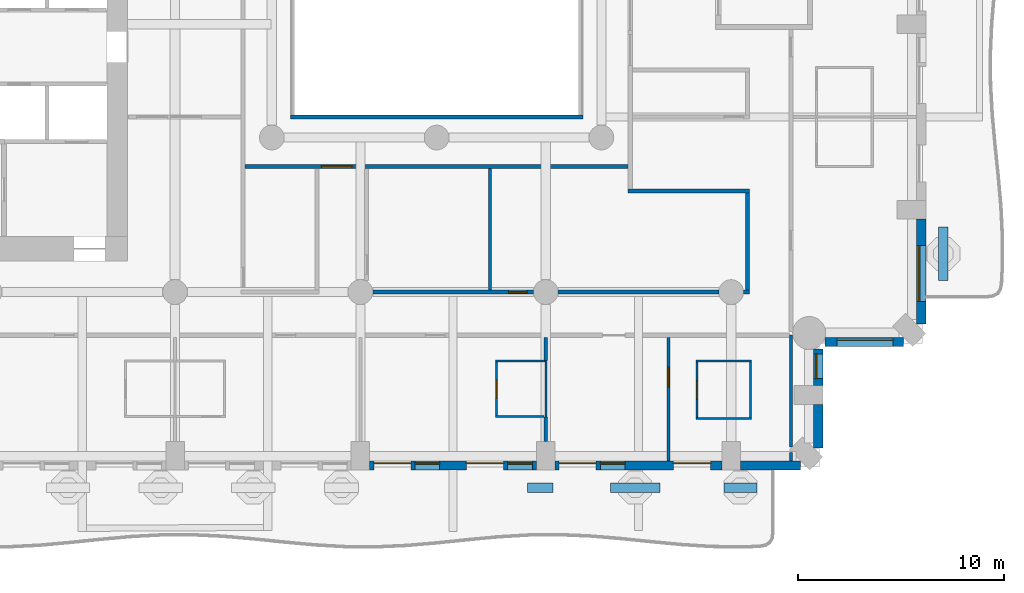
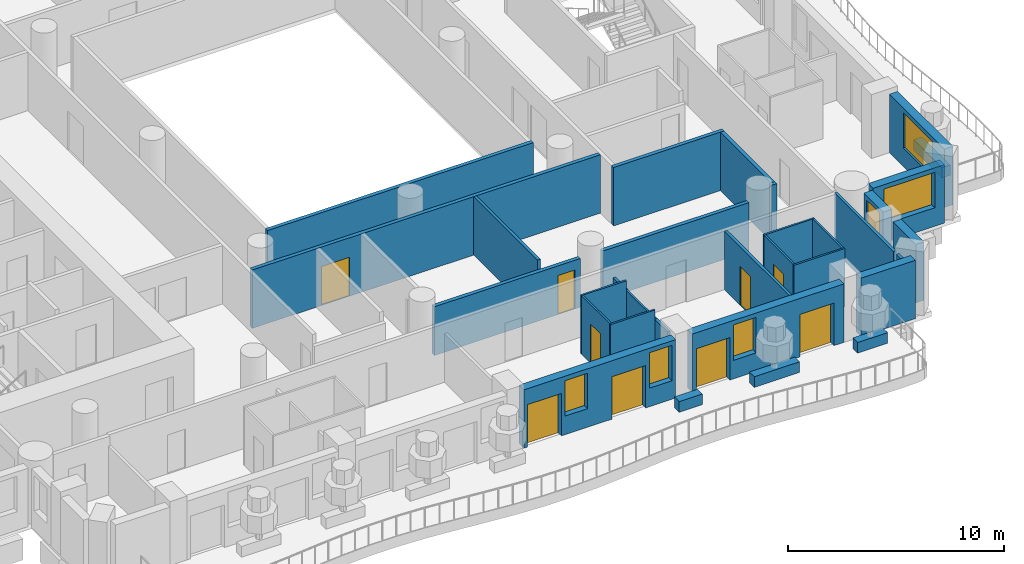
# One storey, part 5 of 20: 32 walls, 9 doors, 6 windows, 15 openings.
"""IFC4 building model written with IfcOpenShell, lengths in metres."""

from ifc_helpers import new_model, si_unit, direction, frame, frame_2d, origin, place, context, subcontext, project, spatial, rectangle, extrude, material, layer, layer_set, type_object, element, fill, save


model = new_model("IFC4")

# Units and contexts
model_context = context("Model", 3, precision=1e-05, world=origin(), true_north=direction((0.0, 1.0)))
body_context = subcontext(model_context, "Body", "Model", "MODEL_VIEW")
ifc_project = project(units=[si_unit("LENGTHUNIT", "METRE"), si_unit("AREAUNIT", "SQUARE_METRE"), si_unit("VOLUMEUNIT", "CUBIC_METRE"), si_unit("PLANEANGLEUNIT", "RADIAN"), si_unit("MASSUNIT", "GRAM", prefix="KILO")], contexts=[model_context])

# Site, building, storey
site_placement = place(None, origin())
site = spatial("IfcSite", under=ifc_project, at=site_placement, CompositionType="ELEMENT")
building_placement = place(site_placement, origin())
building = spatial("IfcBuilding", under=site, at=building_placement, Name="Cypress Arch Tower", CompositionType="ELEMENT")
storey_placement = place(building_placement, frame((0.0, 0.0, 73.5)))
storey = spatial("IfcBuildingStorey", under=building, at=storey_placement, Name="L12", CompositionType="ELEMENT", Elevation=73.5)

# Walls
ifc_material_1 = material(Name="Concrete C40/50, waterproofed", Category="concrete")
ifc_layer_1 = layer(ifc_material_1, 0.449951171875)
ifc_layer_set_1 = layer_set([ifc_layer_1], Name="Balcony planter wall PW450")
wall_type_1 = type_object("IfcWallType", Name="Balcony planter wall PW450", PredefinedType="SOLIDWALL", material=ifc_layer_set_1)
wall_1_placement = place(storey_placement, frame((5.419921875, -27.0, 0.0), z_axis=(0.0, 0.0, 1.0), x_axis=(1.0, 0.0, 0.0)))
element("IfcWall", 1, at=wall_1_placement, inside=storey, type_object=wall_type_1, Name="Balcony planter wall L12-A03.5", PredefinedType="SOLIDWALL", context=body_context, shape_type="SweptSolid", body=[
    extrude(rectangle(XDim=1.22998046875, YDim=0.449951171875, at=frame_2d((0.614990234375, 0.0))), origin(), (0.0, 0.0, 1.0), 0.60009765625),
])
wall_2_placement = place(storey_placement, frame((9.429931640625, -27.0, 0.0), z_axis=(0.0, 0.0, 1.0), x_axis=(1.0, 0.0, 0.0)))
element("IfcWall", 2, at=wall_2_placement, inside=storey, type_object=wall_type_1, Name="Balcony planter wall L12-A03.6", PredefinedType="SOLIDWALL", context=body_context, shape_type="SweptSolid", body=[
    extrude(rectangle(XDim=2.420166015625, YDim=0.449951171875, at=frame_2d((1.2099609375, 0.0))), origin(), (0.0, 0.0, 1.0), 0.60009765625),
])
wall_3_placement = place(storey_placement, frame((14.949951171875, -27.0, 0.0), z_axis=(0.0, 0.0, 1.0), x_axis=(1.0, 0.0, 0.0)))
element("IfcWall", 3, at=wall_3_placement, inside=storey, type_object=wall_type_1, Name="Balcony planter wall L12-A03.7", PredefinedType="SOLIDWALL", context=body_context, shape_type="SweptSolid", body=[
    extrude(rectangle(XDim=1.60009765625, YDim=0.449951171875, at=frame_2d((0.800048828125, 0.0))), origin(), (0.0, 0.0, 1.0), 0.60009765625),
])
wall_4_placement = place(storey_placement, frame((25.60009765625, -16.949951171875, 0.0), z_axis=(0.0, 0.0, 1.0), x_axis=(0.0, 1.0, 0.0)))
element("IfcWall", 4, at=wall_4_placement, inside=storey, type_object=wall_type_1, Name="Balcony planter wall L12-A06.1", PredefinedType="SOLIDWALL", context=body_context, shape_type="SweptSolid", body=[
    extrude(rectangle(XDim=2.6142578125, YDim=0.449951171875, at=frame_2d((1.30712890625, 0.0))), origin(), (0.0, 0.0, 1.0), 0.60009765625),
])

# Wall, openings, doors, windows
ifc_material_2 = material(Name="Brick (red buff blend)", Category="masonry")
ifc_layer_2 = layer(ifc_material_2, 0.449951171875)
ifc_layer_set_2 = layer_set([ifc_layer_2], Name="Brick pier and spandrel wall BW450")
wall_type_2 = type_object("IfcWallType", Name="Brick pier and spandrel wall BW450", PredefinedType="SOLIDWALL", material=ifc_layer_set_2)
wall_5_placement = place(storey_placement, frame((-2.25, -25.925048828125, 0.0), z_axis=(0.0, 0.0, 1.0), x_axis=(1.0, 0.0, 0.0)))
wall_5 = element("IfcWall", 5, at=wall_5_placement, inside=storey, type_object=wall_type_2, Name="Brick wall L12 A03.3", PredefinedType="SOLIDWALL", context=body_context, shape_type="SweptSolid", body=[
    extrude(rectangle(XDim=8.10009765625, YDim=0.449951171875, at=frame_2d((4.050048828125, 0.0))), origin(), (0.0, 0.0, 1.0), 3.300048828125),
])
opening_1_placement = place(wall_5_placement, frame((0.199951171875, 0.0, 0.0)))
opening_1 = element("IfcOpeningElement", 6, at=opening_1_placement, cuts=wall_5, Name="Opening D-L12-A03.3.1", PredefinedType="OPENING", context=body_context, shape_type="SweptSolid", body=[
    extrude(rectangle(XDim=1.800048828125, YDim=2.39990234375, at=frame_2d((0.89990234375, 1.199951171875))), frame((0.0, 0.23486328125, 0.0), z_axis=(0.0, -1.0, 0.0), x_axis=(1.0, 0.0, 0.0)), (0.0, 0.0, 1.0), 0.469970703125),
])
opening_2_placement = place(wall_5_placement, frame((2.199951171875, 0.0, 1.050048828125)))
opening_2 = element("IfcOpeningElement", 7, at=opening_2_placement, cuts=wall_5, Name="Opening W120HD", PredefinedType="OPENING", context=body_context, shape_type="SweptSolid", body=[
    extrude(rectangle(XDim=1.199951171875, YDim=2.0, at=frame_2d((0.60009765625, 1.0))), frame((0.0, 0.23486328125, 0.0), z_axis=(0.0, -1.0, 0.0), x_axis=(1.0, 0.0, 0.0)), (0.0, 0.0, 1.0), 0.469970703125),
])
opening_3_placement = place(wall_5_placement, frame((4.699951171875, 0.0, 0.0)))
opening_3 = element("IfcOpeningElement", 8, at=opening_3_placement, cuts=wall_5, Name="Opening D-L12-A03.3.2", PredefinedType="OPENING", context=body_context, shape_type="SweptSolid", body=[
    extrude(rectangle(XDim=1.800048828125, YDim=2.39990234375, at=frame_2d((0.89990234375, 1.199951171875))), frame((0.0, 0.23486328125, 0.0), z_axis=(0.0, -1.0, 0.0), x_axis=(1.0, 0.0, 0.0)), (0.0, 0.0, 1.0), 0.469970703125),
])
opening_4_placement = place(wall_5_placement, frame((6.699951171875, 0.0, 1.050048828125)))
opening_4 = element("IfcOpeningElement", 9, at=opening_4_placement, cuts=wall_5, Name="Opening W120HD", PredefinedType="OPENING", context=body_context, shape_type="SweptSolid", body=[
    extrude(rectangle(XDim=1.199951171875, YDim=2.0, at=frame_2d((0.60009765625, 1.0))), frame((0.0, 0.23486328125, 0.0), z_axis=(0.0, -1.0, 0.0), x_axis=(1.0, 0.0, 0.0)), (0.0, 0.0, 1.0), 0.469970703125),
])
ifc_material_3 = material(Name="Anodised aluminium, bronze finish, laminated low-emissivity double glazing, large-missile impact rated", Category="aluminium")
door_type_1 = type_object("IfcDoorType", Name="Balcony sliding door 1800x2400", OperationType="SLIDING_TO_LEFT", PredefinedType="DOOR", material=ifc_material_3)
door_1_placement = place(opening_1_placement, origin())
door_1 = element("IfcDoor", 10, at=door_1_placement, inside=storey, type_object=door_type_1, Name="Balcony door L12 A03.3.1", OperationType="SLIDING_TO_LEFT", OverallHeight=2.39990234375, OverallWidth=1.800048828125, PredefinedType="DOOR", context=body_context, shape_type="SweptSolid", body=[
    extrude(rectangle(XDim=1.800048828125, YDim=2.39990234375, at=frame_2d((0.89990234375, 1.199951171875))), frame((0.0, 0.1298828125, 0.0), z_axis=(0.0, -1.0, 0.0), x_axis=(1.0, 0.0, 0.0)), (0.0, 0.0, 1.0), 0.050048828125),
])
fill(opening_1, door_1)
door_2_placement = place(opening_3_placement, origin())
door_2 = element("IfcDoor", 11, at=door_2_placement, inside=storey, type_object=door_type_1, Name="Balcony door L12 A03.3.2", OperationType="SLIDING_TO_LEFT", OverallHeight=2.39990234375, OverallWidth=1.800048828125, PredefinedType="DOOR", context=body_context, shape_type="SweptSolid", body=[
    extrude(rectangle(XDim=1.800048828125, YDim=2.39990234375, at=frame_2d((0.89990234375, 1.199951171875))), frame((0.0, 0.1298828125, 0.0), z_axis=(0.0, -1.0, 0.0), x_axis=(1.0, 0.0, 0.0)), (0.0, 0.0, 1.0), 0.050048828125),
])
fill(opening_3, door_2)
ifc_material_4 = material(Name="Anodised aluminium, bronze finish, laminated low-emissivity double glazing, large-missile impact rated", Category="aluminium")
window_type_1 = type_object("IfcWindowType", Name="Window Hotel 1200x2000 debris-rated", PartitioningType="SINGLE_PANEL", PredefinedType="WINDOW", material=ifc_material_4)
window_1_placement = place(opening_2_placement, origin())
window_1 = element("IfcWindow", 12, at=window_1_placement, inside=storey, type_object=window_type_1, Name="Window L12 A03.3.1", OverallHeight=2.0, OverallWidth=1.199951171875, PartitioningType="SINGLE_PANEL", PredefinedType="WINDOW", context=body_context, shape_type="SweptSolid", body=[
    extrude(rectangle(XDim=1.199951171875, YDim=2.0, at=frame_2d((0.60009765625, 1.0))), frame((0.0, 0.135009765625, 0.0), z_axis=(0.0, -1.0, 0.0), x_axis=(1.0, 0.0, 0.0)), (0.0, 0.0, 1.0), 0.06005859375),
])
fill(opening_2, window_1)
window_2_placement = place(opening_4_placement, origin())
window_2 = element("IfcWindow", 13, at=window_2_placement, inside=storey, type_object=window_type_1, Name="Window L12 A03.3.2", OverallHeight=2.0, OverallWidth=1.199951171875, PartitioningType="SINGLE_PANEL", PredefinedType="WINDOW", context=body_context, shape_type="SweptSolid", body=[
    extrude(rectangle(XDim=1.199951171875, YDim=2.0, at=frame_2d((0.60009765625, 1.0))), frame((0.0, 0.135009765625, 0.0), z_axis=(0.0, -1.0, 0.0), x_axis=(1.0, 0.0, 0.0)), (0.0, 0.0, 1.0), 0.06005859375),
])
fill(opening_4, window_2)

# Wall, openings, doors, window
wall_6_placement = place(storey_placement, frame((6.75, -25.925048828125, 0.0), z_axis=(0.0, 0.0, 1.0), x_axis=(1.0, 0.0, 0.0)))
wall_6 = element("IfcWall", 14, at=wall_6_placement, inside=storey, type_object=wall_type_2, Name="Brick wall L12 A03.4", PredefinedType="SOLIDWALL", context=body_context, shape_type="SweptSolid", body=[
    extrude(rectangle(XDim=8.10009765625, YDim=0.449951171875, at=frame_2d((4.050048828125, 0.0))), origin(), (0.0, 0.0, 1.0), 3.300048828125),
])
opening_5_placement = place(wall_6_placement, frame((0.199951171875, 0.0, 0.0)))
opening_5 = element("IfcOpeningElement", 15, at=opening_5_placement, cuts=wall_6, Name="Opening D-L12-A03.4.1", PredefinedType="OPENING", context=body_context, shape_type="SweptSolid", body=[
    extrude(rectangle(XDim=1.800048828125, YDim=2.39990234375, at=frame_2d((0.89990234375, 1.199951171875))), frame((0.0, 0.23486328125, 0.0), z_axis=(0.0, -1.0, 0.0), x_axis=(1.0, 0.0, 0.0)), (0.0, 0.0, 1.0), 0.469970703125),
])
opening_6_placement = place(wall_6_placement, frame((2.199951171875, 0.0, 1.050048828125)))
opening_6 = element("IfcOpeningElement", 16, at=opening_6_placement, cuts=wall_6, Name="Opening W120HD", PredefinedType="OPENING", context=body_context, shape_type="SweptSolid", body=[
    extrude(rectangle(XDim=1.199951171875, YDim=2.0, at=frame_2d((0.60009765625, 1.0))), frame((0.0, 0.23486328125, 0.0), z_axis=(0.0, -1.0, 0.0), x_axis=(1.0, 0.0, 0.0)), (0.0, 0.0, 1.0), 0.469970703125),
])
opening_7_placement = place(wall_6_placement, frame((5.75, 0.0, 0.0)))
opening_7 = element("IfcOpeningElement", 17, at=opening_7_placement, cuts=wall_6, Name="Opening D-L12-A03.4.2", PredefinedType="OPENING", context=body_context, shape_type="SweptSolid", body=[
    extrude(rectangle(XDim=1.800048828125, YDim=2.39990234375, at=frame_2d((0.89990234375, 1.199951171875))), frame((0.0, 0.23486328125, 0.0), z_axis=(0.0, -1.0, 0.0), x_axis=(1.0, 0.0, 0.0)), (0.0, 0.0, 1.0), 0.469970703125),
])
door_3_placement = place(opening_5_placement, origin())
door_3 = element("IfcDoor", 18, at=door_3_placement, inside=storey, type_object=door_type_1, Name="Balcony door L12 A03.4.1", OperationType="SLIDING_TO_LEFT", OverallHeight=2.39990234375, OverallWidth=1.800048828125, PredefinedType="DOOR", context=body_context, shape_type="SweptSolid", body=[
    extrude(rectangle(XDim=1.800048828125, YDim=2.39990234375, at=frame_2d((0.89990234375, 1.199951171875))), frame((0.0, 0.1298828125, 0.0), z_axis=(0.0, -1.0, 0.0), x_axis=(1.0, 0.0, 0.0)), (0.0, 0.0, 1.0), 0.050048828125),
])
fill(opening_5, door_3)
door_4_placement = place(opening_7_placement, origin())
door_4 = element("IfcDoor", 19, at=door_4_placement, inside=storey, type_object=door_type_1, Name="Balcony door L12 A03.4.2", OperationType="SLIDING_TO_LEFT", OverallHeight=2.39990234375, OverallWidth=1.800048828125, PredefinedType="DOOR", context=body_context, shape_type="SweptSolid", body=[
    extrude(rectangle(XDim=1.800048828125, YDim=2.39990234375, at=frame_2d((0.89990234375, 1.199951171875))), frame((0.0, 0.1298828125, 0.0), z_axis=(0.0, -1.0, 0.0), x_axis=(1.0, 0.0, 0.0)), (0.0, 0.0, 1.0), 0.050048828125),
])
fill(opening_7, door_4)
window_3_placement = place(opening_6_placement, origin())
window_3 = element("IfcWindow", 20, at=window_3_placement, inside=storey, type_object=window_type_1, Name="Window L12 A03.4.1", OverallHeight=2.0, OverallWidth=1.199951171875, PartitioningType="SINGLE_PANEL", PredefinedType="WINDOW", context=body_context, shape_type="SweptSolid", body=[
    extrude(rectangle(XDim=1.199951171875, YDim=2.0, at=frame_2d((0.60009765625, 1.0))), frame((0.0, 0.135009765625, 0.0), z_axis=(0.0, -1.0, 0.0), x_axis=(1.0, 0.0, 0.0)), (0.0, 0.0, 1.0), 0.06005859375),
])
fill(opening_6, window_3)

# Walls
wall_7_placement = place(storey_placement, frame((15.75, -25.925048828125, 0.0), z_axis=(0.0, 0.0, 1.0), x_axis=(1.0, 0.0, 0.0)))
element("IfcWall", 21, at=wall_7_placement, inside=storey, type_object=wall_type_2, Name="Brick wall L12 A03.5", PredefinedType="SOLIDWALL", context=body_context, shape_type="SweptSolid", body=[
    extrude(rectangle(XDim=2.91357421875, YDim=0.449951171875, at=frame_2d((1.456787109375, 0.0))), origin(), (0.0, 0.0, 1.0), 3.300048828125),
])
wall_8_placement = place(storey_placement, frame((19.52490234375, -25.063720703125, 0.0), z_axis=(0.0, 0.0, 1.0), x_axis=(0.0, 1.0, 0.0)))
element("IfcWall", 22, at=wall_8_placement, inside=storey, type_object=wall_type_2, Name="Brick wall L12 A04.0", PredefinedType="SOLIDWALL", context=body_context, shape_type="SweptSolid", body=[
    extrude(rectangle(XDim=2.11376953125, YDim=0.449951171875, at=frame_2d((1.056884765625, 0.0))), origin(), (0.0, 0.0, 1.0), 3.300048828125),
])

# Wall, opening, window
wall_9_placement = place(storey_placement, frame((19.52490234375, -22.050048828125, 0.0), z_axis=(0.0, 0.0, 1.0), x_axis=(0.0, 1.0, 0.0)))
wall_9 = element("IfcWall", 23, at=wall_9_placement, inside=storey, type_object=wall_type_2, Name="Brick wall L12 A04.1", PredefinedType="SOLIDWALL", context=body_context, shape_type="SweptSolid", body=[
    extrude(rectangle(XDim=1.79150390625, YDim=0.449951171875, at=frame_2d((0.895751953125, 0.0))), origin(), (0.0, 0.0, 1.0), 3.300048828125),
])
opening_8_placement = place(wall_9_placement, frame((0.35009765625, 0.0, 1.050048828125)))
opening_8 = element("IfcOpeningElement", 24, at=opening_8_placement, cuts=wall_9, Name="Opening W120H", PredefinedType="OPENING", context=body_context, shape_type="SweptSolid", body=[
    extrude(rectangle(XDim=1.199951171875, YDim=2.0, at=frame_2d((0.60009765625, 1.0))), frame((0.0, 0.23486328125, 0.0), z_axis=(0.0, -1.0, 0.0), x_axis=(1.0, 0.0, 0.0)), (0.0, 0.0, 1.0), 0.469970703125),
])
ifc_material_5 = material(Name="Anodised aluminium, bronze finish, clear low-emissivity double glazing", Category="aluminium")
window_type_2 = type_object("IfcWindowType", Name="Window Hotel 1200x2000", PartitioningType="SINGLE_PANEL", PredefinedType="WINDOW", material=ifc_material_5)
window_4_placement = place(opening_8_placement, origin())
window_4 = element("IfcWindow", 25, at=window_4_placement, inside=storey, type_object=window_type_2, Name="Window L12 A04.1.1", OverallHeight=2.0, OverallWidth=1.199951171875, PartitioningType="SINGLE_PANEL", PredefinedType="WINDOW", context=body_context, shape_type="SweptSolid", body=[
    extrude(rectangle(XDim=1.199951171875, YDim=2.0, at=frame_2d((0.60009765625, 1.0))), frame((0.0, 0.135009765625, 0.0), z_axis=(0.0, -1.0, 0.0), x_axis=(1.0, 0.0, 0.0)), (0.0, 0.0, 1.0), 0.06005859375),
])
fill(opening_8, window_4)

wall_10_placement = place(storey_placement, frame((19.8583984375, -19.925048828125, 0.0), z_axis=(0.0, 0.0, 1.0), x_axis=(1.0, 0.0, 0.0)))
wall_10 = element("IfcWall", 26, at=wall_10_placement, inside=storey, type_object=wall_type_2, Name="Brick wall L12 A05.0", PredefinedType="SOLIDWALL", context=body_context, shape_type="SweptSolid", body=[
    extrude(rectangle(XDim=3.80517578125, YDim=0.449951171875, at=frame_2d((1.902587890625, 0.0))), origin(), (0.0, 0.0, 1.0), 3.300048828125),
])
opening_9_placement = place(wall_10_placement, frame((0.591552734375, 0.0, 1.050048828125)))
opening_9 = element("IfcOpeningElement", 27, at=opening_9_placement, cuts=wall_10, Name="Opening W270H", PredefinedType="OPENING", context=body_context, shape_type="SweptSolid", body=[
    extrude(rectangle(XDim=2.699951171875, YDim=2.0, at=frame_2d((1.35009765625, 1.0))), frame((0.0, 0.23486328125, 0.0), z_axis=(0.0, -1.0, 0.0), x_axis=(1.0, 0.0, 0.0)), (0.0, 0.0, 1.0), 0.469970703125),
])
ifc_material_6 = material(Name="Anodised aluminium, bronze finish, clear low-emissivity double glazing", Category="aluminium")
window_type_3 = type_object("IfcWindowType", Name="Window Hotel 2700x2000", PartitioningType="SINGLE_PANEL", PredefinedType="WINDOW", material=ifc_material_6)
window_5_placement = place(opening_9_placement, origin())
window_5 = element("IfcWindow", 28, at=window_5_placement, inside=storey, type_object=window_type_3, Name="Window L12 A05.0.1", OverallHeight=2.0, OverallWidth=2.699951171875, PartitioningType="SINGLE_PANEL", PredefinedType="WINDOW", context=body_context, shape_type="SweptSolid", body=[
    extrude(rectangle(XDim=2.699951171875, YDim=2.0, at=frame_2d((1.35009765625, 1.0))), frame((0.0, 0.135009765625, 0.0), z_axis=(0.0, -1.0, 0.0), x_axis=(1.0, 0.0, 0.0)), (0.0, 0.0, 1.0), 0.06005859375),
])
fill(opening_9, window_5)

wall_11_placement = place(storey_placement, frame((24.52490234375, -19.063720703125, 0.0), z_axis=(0.0, 0.0, 1.0), x_axis=(0.0, 1.0, 0.0)))
wall_11 = element("IfcWall", 29, at=wall_11_placement, inside=storey, type_object=wall_type_2, Name="Brick wall L12 A06.0", PredefinedType="SOLIDWALL", context=body_context, shape_type="SweptSolid", body=[
    extrude(rectangle(XDim=5.11376953125, YDim=0.449951171875, at=frame_2d((2.556884765625, 0.0))), origin(), (0.0, 0.0, 1.0), 3.300048828125),
])
opening_10_placement = place(wall_11_placement, frame((1.113525390625, 0.0, 1.050048828125)))
opening_10 = element("IfcOpeningElement", 30, at=opening_10_placement, cuts=wall_11, Name="Opening W270HD", PredefinedType="OPENING", context=body_context, shape_type="SweptSolid", body=[
    extrude(rectangle(XDim=2.699951171875, YDim=2.0, at=frame_2d((1.35009765625, 1.0))), frame((0.0, 0.23486328125, 0.0), z_axis=(0.0, -1.0, 0.0), x_axis=(1.0, 0.0, 0.0)), (0.0, 0.0, 1.0), 0.469970703125),
])
ifc_material_7 = material(Name="Anodised aluminium, bronze finish, laminated low-emissivity double glazing, large-missile impact rated", Category="aluminium")
window_type_4 = type_object("IfcWindowType", Name="Window Hotel 2700x2000 debris-rated", PartitioningType="SINGLE_PANEL", PredefinedType="WINDOW", material=ifc_material_7)
window_6_placement = place(opening_10_placement, origin())
window_6 = element("IfcWindow", 31, at=window_6_placement, inside=storey, type_object=window_type_4, Name="Window L12 A06.0.1", OverallHeight=2.0, OverallWidth=2.699951171875, PartitioningType="SINGLE_PANEL", PredefinedType="WINDOW", context=body_context, shape_type="SweptSolid", body=[
    extrude(rectangle(XDim=2.699951171875, YDim=2.0, at=frame_2d((1.35009765625, 1.0))), frame((0.0, 0.135009765625, 0.0), z_axis=(0.0, -1.0, 0.0), x_axis=(1.0, 0.0, 0.0)), (0.0, 0.0, 1.0), 0.06005859375),
])
fill(opening_10, window_6)

# Wall, opening, door
ifc_material_8 = material(Name="Concrete blockwork, plastered, rated", Category="masonry")
ifc_layer_3 = layer(ifc_material_8, 0.199951171875)
ifc_layer_set_3 = layer_set([ifc_layer_3], Name="Corridor wall FW200")
wall_type_3 = type_object("IfcWallType", Name="Corridor wall FW200", PredefinedType="PARTITIONING", material=ifc_layer_set_3)
wall_12_placement = place(storey_placement, frame((-8.300048828125, -11.39990234375, 0.0), z_axis=(0.0, 0.0, 1.0), x_axis=(1.0, 0.0, 0.0)))
wall_12 = element("IfcWall", 32, at=wall_12_placement, inside=storey, type_object=wall_type_3, Name="Corridor wall", PredefinedType="PARTITIONING", context=body_context, shape_type="SweptSolid", body=[
    extrude(rectangle(XDim=18.60009765625, YDim=0.199951171875, at=frame_2d((9.300048828125, 0.0))), origin(), (0.0, 0.0, 1.0), 3.300048828125),
])
opening_11_placement = place(wall_12_placement, frame((3.699951171875, 0.0, 0.0)))
opening_11 = element("IfcOpeningElement", 33, at=opening_11_placement, cuts=wall_12, Name="Opening D04", PredefinedType="OPENING", context=body_context, shape_type="SweptSolid", body=[
    extrude(rectangle(XDim=1.5, YDim=2.199951171875, at=frame_2d((0.75, 1.10009765625))), frame((0.0, 0.10986328125, 0.0), z_axis=(0.0, -1.0, 0.0), x_axis=(1.0, 0.0, 0.0)), (0.0, 0.0, 1.0), 0.219970703125),
])
ifc_material_9 = material(Name="Timber double door", Category="wood")
door_type_2 = type_object("IfcDoorType", Name="Double door D04 1500x2200", OperationType="DOUBLE_DOOR_SINGLE_SWING", PredefinedType="DOOR", material=ifc_material_9)
door_5_placement = place(opening_11_placement, origin())
door_5 = element("IfcDoor", 34, at=door_5_placement, inside=storey, type_object=door_type_2, Name="Double door", OperationType="DOUBLE_DOOR_SINGLE_SWING", OverallHeight=2.199951171875, OverallWidth=1.5, PredefinedType="DOOR", context=body_context, shape_type="SweptSolid", body=[
    extrude(rectangle(XDim=1.5, YDim=2.199951171875, at=frame_2d((0.75, 1.10009765625))), frame((0.0, 0.02490234375, 0.0), z_axis=(0.0, -1.0, 0.0), x_axis=(1.0, 0.0, 0.0)), (0.0, 0.0, 1.0), 0.050048828125),
])
fill(opening_11, door_5)

# Wall
wall_13_placement = place(storey_placement, frame((-6.10009765625, -9.0, 0.0), z_axis=(0.0, 0.0, 1.0), x_axis=(1.0, 0.0, 0.0)))
element("IfcWall", 35, at=wall_13_placement, inside=storey, type_object=wall_type_3, Name="Corridor wall", PredefinedType="PARTITIONING", context=body_context, shape_type="SweptSolid", body=[
    extrude(rectangle(XDim=14.2001953125, YDim=0.199951171875, at=frame_2d((7.10009765625, 0.0))), origin(), (0.0, 0.0, 1.0), 3.300048828125),
])

# Wall, opening, door
wall_14_placement = place(storey_placement, frame((-2.10009765625, -17.5, 0.0), z_axis=(0.0, 0.0, 1.0), x_axis=(1.0, 0.0, 0.0)))
wall_14 = element("IfcWall", 36, at=wall_14_placement, inside=storey, type_object=wall_type_3, Name="Corridor wall", PredefinedType="PARTITIONING", context=body_context, shape_type="SweptSolid", body=[
    extrude(rectangle(XDim=7.800048828125, YDim=0.199951171875, at=frame_2d((3.89990234375, 0.0))), origin(), (0.0, 0.0, 1.0), 2.75),
])
opening_12_placement = place(wall_14_placement, frame((6.60009765625, 0.0, 0.0)))
opening_12 = element("IfcOpeningElement", 37, at=opening_12_placement, cuts=wall_14, Name="Opening D05", PredefinedType="OPENING", context=body_context, shape_type="SweptSolid", body=[
    extrude(rectangle(XDim=0.89990234375, YDim=2.199951171875, at=frame_2d((0.449951171875, 1.10009765625))), frame((0.0, 0.10986328125, 0.0), z_axis=(0.0, -1.0, 0.0), x_axis=(1.0, 0.0, 0.0)), (0.0, 0.0, 1.0), 0.219970703125),
])
ifc_material_10 = material(Name="Timber flush door", Category="wood")
door_type_3 = type_object("IfcDoorType", Name="Service door D05 900x2200", OperationType="SINGLE_SWING_LEFT", PredefinedType="DOOR", material=ifc_material_10)
door_6_placement = place(opening_12_placement, origin())
door_6 = element("IfcDoor", 38, at=door_6_placement, inside=storey, type_object=door_type_3, Name="Service door", OperationType="SINGLE_SWING_RIGHT", OverallHeight=2.199951171875, OverallWidth=0.89990234375, PredefinedType="DOOR", context=body_context, shape_type="SweptSolid", body=[
    extrude(rectangle(XDim=0.89990234375, YDim=2.199951171875, at=frame_2d((0.449951171875, 1.10009765625))), frame((0.0, 0.02490234375, 0.0), z_axis=(0.0, -1.0, 0.0), x_axis=(1.0, 0.0, 0.0)), (0.0, 0.0, 1.0), 0.050048828125),
])
fill(opening_12, door_6)

# Walls
wall_15_placement = place(storey_placement, frame((6.89990234375, -17.5, 0.0), z_axis=(0.0, 0.0, 1.0), x_axis=(1.0, 0.0, 0.0)))
element("IfcWall", 39, at=wall_15_placement, inside=storey, type_object=wall_type_3, Name="Corridor wall", PredefinedType="PARTITIONING", context=body_context, shape_type="SweptSolid", body=[
    extrude(rectangle(XDim=7.800048828125, YDim=0.199951171875, at=frame_2d((3.89990234375, 0.0))), origin(), (0.0, 0.0, 1.0), 2.75),
])
wall_16_placement = place(storey_placement, frame((15.89990234375, -17.5, 0.0), z_axis=(0.0, 0.0, 1.0), x_axis=(1.0, 0.0, 0.0)))
element("IfcWall", 40, at=wall_16_placement, inside=storey, type_object=wall_type_3, Name="Corridor wall", PredefinedType="PARTITIONING", context=body_context, shape_type="SweptSolid", body=[
    extrude(rectangle(XDim=0.300048828125, YDim=0.199951171875, at=frame_2d((0.14990234375, 0.0))), origin(), (0.0, 0.0, 1.0), 3.300048828125),
])
wall_17_placement = place(storey_placement, frame((10.299072265625, -12.60009765625, 0.0), z_axis=(0.0, 0.0, 1.0), x_axis=(1.0, 0.0, 0.0)))
element("IfcWall", 41, at=wall_17_placement, inside=storey, type_object=wall_type_3, Name="Corridor wall", PredefinedType="PARTITIONING", context=body_context, shape_type="SweptSolid", body=[
    extrude(rectangle(XDim=5.90087890625, YDim=0.199951171875, at=frame_2d((2.950439453125, 0.0))), origin(), (0.0, 0.0, 1.0), 3.300048828125),
])
wall_18_placement = place(storey_placement, frame((16.10009765625, -17.39990234375, 0.0), z_axis=(0.0, 0.0, 1.0), x_axis=(0.0, 1.0, 0.0)))
element("IfcWall", 42, at=wall_18_placement, inside=storey, type_object=wall_type_3, Name="Corridor wall", PredefinedType="PARTITIONING", context=body_context, shape_type="SweptSolid", body=[
    extrude(rectangle(XDim=4.699951171875, YDim=0.199951171875, at=frame_2d((2.35009765625, 0.0))), origin(), (0.0, 0.0, 1.0), 3.300048828125),
])
ifc_material_11 = material(Name="Blockwork, plastered both sides", Category="masonry")
ifc_layer_4 = layer(ifc_material_11, 0.14990234375)
ifc_layer_set_4 = layer_set([ifc_layer_4], Name="Partition PW150")
wall_type_4 = type_object("IfcWallType", Name="Partition PW150", PredefinedType="PARTITIONING", material=ifc_layer_set_4)
wall_19_placement = place(storey_placement, frame((3.60009765625, -17.39990234375, 0.0), z_axis=(0.0, 0.0, 1.0), x_axis=(0.0, 1.0, 0.0)))
element("IfcWall", 43, at=wall_19_placement, inside=storey, type_object=wall_type_4, Name="Partition", PredefinedType="PARTITIONING", context=body_context, shape_type="SweptSolid", body=[
    extrude(rectangle(XDim=5.89990234375, YDim=0.14990234375, at=frame_2d((2.949951171875, 0.0))), origin(), (0.0, 0.0, 1.0), 3.300048828125),
])
wall_20_placement = place(storey_placement, frame((6.300048828125, -24.75, 0.0), z_axis=(0.0, 0.0, 1.0), x_axis=(0.0, 1.0, 0.0)))
element("IfcWall", 44, at=wall_20_placement, inside=storey, type_object=wall_type_4, Name="Partition", PredefinedType="PARTITIONING", context=body_context, shape_type="SweptSolid", body=[
    extrude(rectangle(XDim=1.179931640625, YDim=0.14990234375, at=frame_2d((0.58984375, 0.0))), origin(), (0.0, 0.0, 1.0), 2.75),
])
wall_21_placement = place(storey_placement, frame((6.300048828125, -20.830078125, 0.0), z_axis=(0.0, 0.0, 1.0), x_axis=(0.0, 1.0, 0.0)))
element("IfcWall", 45, at=wall_21_placement, inside=storey, type_object=wall_type_4, Name="Partition", PredefinedType="PARTITIONING", context=body_context, shape_type="SweptSolid", body=[
    extrude(rectangle(XDim=1.130126953125, YDim=0.14990234375, at=frame_2d((0.56494140625, 0.0))), origin(), (0.0, 0.0, 1.0), 2.75),
])

# Wall, opening, door
wall_22_placement = place(storey_placement, frame((12.25, -25.699951171875, 0.0), z_axis=(0.0, 0.0, 1.0), x_axis=(0.0, 1.0, 0.0)))
wall_22 = element("IfcWall", 46, at=wall_22_placement, inside=storey, type_object=wall_type_4, Name="Partition", PredefinedType="PARTITIONING", context=body_context, shape_type="SweptSolid", body=[
    extrude(rectangle(XDim=6.0, YDim=0.14990234375, at=frame_2d((3.0, 0.0))), origin(), (0.0, 0.0, 1.0), 3.300048828125),
])
opening_13_placement = place(wall_22_placement, frame((3.60009765625, 0.0, 0.0)))
opening_13 = element("IfcOpeningElement", 47, at=opening_13_placement, cuts=wall_22, Name="Opening D12", PredefinedType="OPENING", context=body_context, shape_type="SweptSolid", body=[
    extrude(rectangle(XDim=0.949951171875, YDim=2.199951171875, at=frame_2d((0.47509765625, 1.10009765625))), frame((0.0, 0.0849609375, 0.0), z_axis=(0.0, -1.0, 0.0), x_axis=(1.0, 0.0, 0.0)), (0.0, 0.0, 1.0), 0.169921875),
])
ifc_material_12 = material(Name="Timber flush door", Category="wood")
door_type_4 = type_object("IfcDoorType", Name="Room door D12 950x2200", OperationType="SINGLE_SWING_LEFT", PredefinedType="DOOR", material=ifc_material_12)
door_7_placement = place(opening_13_placement, origin())
door_7 = element("IfcDoor", 48, at=door_7_placement, inside=storey, type_object=door_type_4, Name="Room door", OperationType="SINGLE_SWING_RIGHT", OverallHeight=2.199951171875, OverallWidth=0.949951171875, PredefinedType="DOOR", context=body_context, shape_type="SweptSolid", body=[
    extrude(rectangle(XDim=0.949951171875, YDim=2.199951171875, at=frame_2d((0.47509765625, 1.10009765625))), frame((0.0, 0.02490234375, 0.0), z_axis=(0.0, -1.0, 0.0), x_axis=(1.0, 0.0, 0.0)), (0.0, 0.0, 1.0), 0.050048828125),
])
fill(opening_13, door_7)

# Walls
wall_23_placement = place(storey_placement, frame((18.199951171875, -25.699951171875, 0.0), z_axis=(0.0, 0.0, 1.0), x_axis=(0.0, 1.0, 0.0)))
element("IfcWall", 49, at=wall_23_placement, inside=storey, type_object=wall_type_4, Name="Partition", PredefinedType="PARTITIONING", context=body_context, shape_type="SweptSolid", body=[
    extrude(rectangle(XDim=0.403564453125, YDim=0.14990234375, at=frame_2d((0.20166015625, 0.0))), origin(), (0.0, 0.0, 1.0), 3.300048828125),
])
wall_24_placement = place(storey_placement, frame((18.199951171875, -25.023681640625, 0.0), z_axis=(0.0, 0.0, 1.0), x_axis=(0.0, 1.0, 0.0)))
element("IfcWall", 50, at=wall_24_placement, inside=storey, type_object=wall_type_4, Name="Partition", PredefinedType="PARTITIONING", context=body_context, shape_type="SweptSolid", body=[
    extrude(rectangle(XDim=5.443603515625, YDim=0.14990234375, at=frame_2d((2.7216796875, 0.0))), origin(), (0.0, 0.0, 1.0), 3.300048828125),
])

# Wall, opening, door
ifc_material_13 = material(Name="Moisture resistant board on steel studs, tiled", Category="steel")
ifc_layer_5 = layer(ifc_material_13, 0.10009765625)
ifc_layer_set_5 = layer_set([ifc_layer_5], Name="Wet wall PW100")
wall_type_5 = type_object("IfcWallType", Name="Wet wall PW100", PredefinedType="PARTITIONING", material=ifc_layer_set_5)
wall_25_placement = place(storey_placement, frame((3.904052734375, -23.5, 0.0), z_axis=(0.0, 0.0, 1.0), x_axis=(0.0, 1.0, 0.0)))
wall_25 = element("IfcWall", 51, at=wall_25_placement, inside=storey, type_object=wall_type_5, Name="Wet wall", PredefinedType="PARTITIONING", context=body_context, shape_type="SweptSolid", body=[
    extrude(rectangle(XDim=2.60009765625, YDim=0.10009765625, at=frame_2d((1.300048828125, 0.0))), origin(), (0.0, 0.0, 1.0), 3.300048828125),
])
opening_14_placement = place(wall_25_placement, frame((0.85009765625, 0.0, 0.0)))
opening_14 = element("IfcOpeningElement", 52, at=opening_14_placement, cuts=wall_25, Name="Opening D03", PredefinedType="OPENING", context=body_context, shape_type="SweptSolid", body=[
    extrude(rectangle(XDim=0.89990234375, YDim=2.199951171875, at=frame_2d((0.449951171875, 1.10009765625))), frame((0.0, 0.06005859375, 0.0), z_axis=(0.0, -1.0, 0.0), x_axis=(1.0, 0.0, 0.0)), (0.0, 0.0, 1.0), 0.1201171875),
])
ifc_material_14 = material(Name="Timber flush door, moisture resistant", Category="wood")
door_type_5 = type_object("IfcDoorType", Name="Bathroom door D03 900x2200", OperationType="SINGLE_SWING_LEFT", PredefinedType="DOOR", material=ifc_material_14)
door_8_placement = place(opening_14_placement, origin())
door_8 = element("IfcDoor", 53, at=door_8_placement, inside=storey, type_object=door_type_5, Name="Bathroom door", OperationType="SINGLE_SWING_LEFT", OverallHeight=2.199951171875, OverallWidth=0.89990234375, PredefinedType="DOOR", context=body_context, shape_type="SweptSolid", body=[
    extrude(rectangle(XDim=0.89990234375, YDim=2.199951171875, at=frame_2d((0.449951171875, 1.10009765625))), frame((0.0, 0.02490234375, 0.0), z_axis=(0.0, -1.0, 0.0), x_axis=(1.0, 0.0, 0.0)), (0.0, 0.0, 1.0), 0.050048828125),
])
fill(opening_14, door_8)

# Walls
wall_26_placement = place(storey_placement, frame((3.85400390625, -23.550048828125, 0.0), z_axis=(0.0, 0.0, 1.0), x_axis=(1.0, 0.0, 0.0)))
element("IfcWall", 54, at=wall_26_placement, inside=storey, type_object=wall_type_5, Name="Wet wall", PredefinedType="PARTITIONING", context=body_context, shape_type="SweptSolid", body=[
    extrude(rectangle(XDim=2.37109375, YDim=0.10009765625, at=frame_2d((1.185546875, 0.0))), origin(), (0.0, 0.0, 1.0), 3.300048828125),
])
wall_27_placement = place(storey_placement, frame((3.85400390625, -20.85009765625, 0.0), z_axis=(0.0, 0.0, 1.0), x_axis=(1.0, 0.0, 0.0)))
element("IfcWall", 55, at=wall_27_placement, inside=storey, type_object=wall_type_5, Name="Wet wall", PredefinedType="PARTITIONING", context=body_context, shape_type="SweptSolid", body=[
    extrude(rectangle(XDim=2.39599609375, YDim=0.10009765625, at=frame_2d((1.197998046875, 0.0))), origin(), (0.0, 0.0, 1.0), 3.300048828125),
])
wall_28_placement = place(storey_placement, frame((6.300048828125, -23.570068359375, 0.0), z_axis=(0.0, 0.0, 1.0), x_axis=(0.0, 1.0, 0.0)))
element("IfcWall", 56, at=wall_28_placement, inside=storey, type_object=wall_type_5, Name="Wet wall", PredefinedType="PARTITIONING", context=body_context, shape_type="SweptSolid", body=[
    extrude(rectangle(XDim=2.739990234375, YDim=0.10009765625, at=frame_2d((1.3701171875, 0.0))), origin(), (0.0, 0.0, 1.0), 2.75),
])

# Wall, opening, door
wall_29_placement = place(storey_placement, frame((13.64599609375, -23.60009765625, 0.0), z_axis=(0.0, 0.0, 1.0), x_axis=(0.0, 1.0, 0.0)))
wall_29 = element("IfcWall", 57, at=wall_29_placement, inside=storey, type_object=wall_type_5, Name="Wet wall", PredefinedType="PARTITIONING", context=body_context, shape_type="SweptSolid", body=[
    extrude(rectangle(XDim=2.7001953125, YDim=0.10009765625, at=frame_2d((1.35009765625, 0.0))), origin(), (0.0, 0.0, 1.0), 3.300048828125),
])
opening_15_placement = place(wall_29_placement, frame((0.89990234375, 0.0, 0.0)))
opening_15 = element("IfcOpeningElement", 58, at=opening_15_placement, cuts=wall_29, Name="Opening D03", PredefinedType="OPENING", context=body_context, shape_type="SweptSolid", body=[
    extrude(rectangle(XDim=0.89990234375, YDim=2.199951171875, at=frame_2d((0.449951171875, 1.10009765625))), frame((0.0, 0.06005859375, 0.0), z_axis=(0.0, -1.0, 0.0), x_axis=(1.0, 0.0, 0.0)), (0.0, 0.0, 1.0), 0.1201171875),
])
door_9_placement = place(opening_15_placement, origin())
door_9 = element("IfcDoor", 59, at=door_9_placement, inside=storey, type_object=door_type_5, Name="Bathroom door", OperationType="SINGLE_SWING_LEFT", OverallHeight=2.199951171875, OverallWidth=0.89990234375, PredefinedType="DOOR", context=body_context, shape_type="SweptSolid", body=[
    extrude(rectangle(XDim=0.89990234375, YDim=2.199951171875, at=frame_2d((0.449951171875, 1.10009765625))), frame((0.0, 0.02490234375, 0.0), z_axis=(0.0, -1.0, 0.0), x_axis=(1.0, 0.0, 0.0)), (0.0, 0.0, 1.0), 0.050048828125),
])
fill(opening_15, door_9)

# Walls
for number, where, z_axis, x_axis, name in (
    (60, (13.595947265625, -23.64990234375, 0.0), (0.0, 0.0, 1.0), (1.0, 0.0, 0.0), "Wet wall"),
    (61, (13.595947265625, -20.85009765625, 0.0), (0.0, 0.0, 1.0), (1.0, 0.0, 0.0), "Wet wall"),
):
    element("IfcWall", number, at=place(storey_placement, frame(where, z_axis=z_axis, x_axis=x_axis)), inside=storey, type_object=wall_type_5, Name=name, PredefinedType="PARTITIONING", context=body_context, shape_type="SweptSolid", body=[
        extrude(rectangle(XDim=2.699951171875, YDim=0.10009765625, at=frame_2d((1.35009765625, 0.0))), origin(), (0.0, 0.0, 1.0), 3.300048828125),
    ])
wall_30_placement = place(storey_placement, frame((16.24609375, -23.60009765625, 0.0), z_axis=(0.0, 0.0, 1.0), x_axis=(0.0, 1.0, 0.0)))
element("IfcWall", 62, at=wall_30_placement, inside=storey, type_object=wall_type_5, Name="Wet wall", PredefinedType="PARTITIONING", context=body_context, shape_type="SweptSolid", body=[
    extrude(rectangle(XDim=2.7001953125, YDim=0.10009765625, at=frame_2d((1.35009765625, 0.0))), origin(), (0.0, 0.0, 1.0), 3.300048828125),
])

save(model, "model.ifc")
